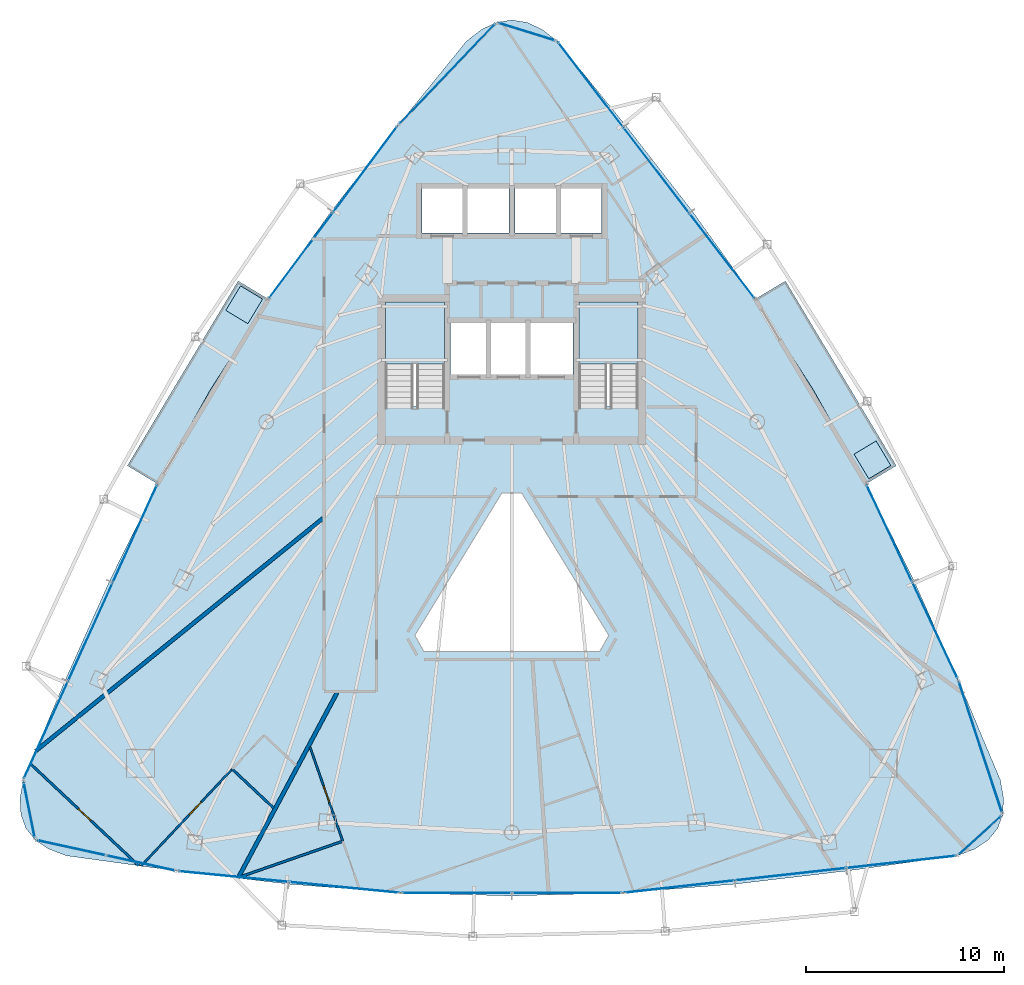
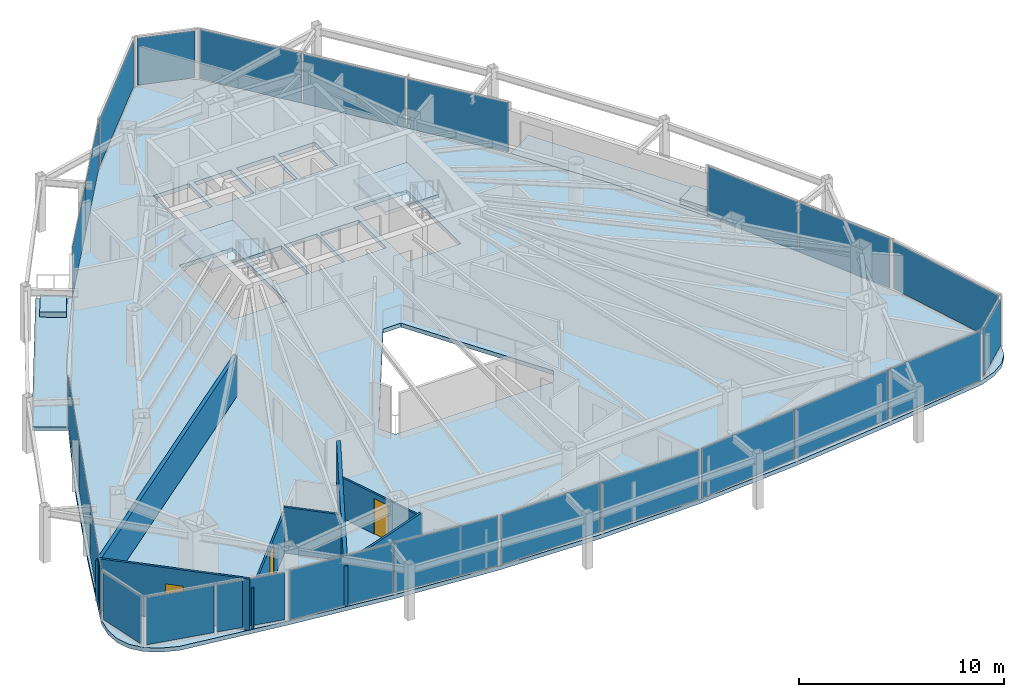
# One storey, part 23 of 29: 24 plates, 7 slabs, 7 walls, 3 doors, 3 openings, 15 elements without a shape of their own.
"""IFC4 building model written with IfcOpenShell, lengths in metres."""

from ifc_helpers import new_model, si_unit, direction, frame, frame_2d, origin, origin_2d, place, context, subcontext, project, spatial, polyline, rectangle, outline, extrude, material, layer, layer_set, type_object, element, fill, aggregate, save


model = new_model("IFC4")

# Units and contexts
model_context = context("Model", 3, precision=1e-05, world=origin(), true_north=direction((0.0, 1.0)))
body_context = subcontext(model_context, "Body", "Model", "MODEL_VIEW")
ifc_project = project(units=[si_unit("LENGTHUNIT", "METRE"), si_unit("AREAUNIT", "SQUARE_METRE"), si_unit("VOLUMEUNIT", "CUBIC_METRE"), si_unit("PLANEANGLEUNIT", "RADIAN"), si_unit("MASSUNIT", "GRAM", prefix="KILO")], contexts=[model_context])

# Site, building, storey
site_placement = place(None, origin())
site = spatial("IfcSite", under=ifc_project, at=site_placement, CompositionType="ELEMENT")
building_placement = place(site_placement, origin())
building = spatial("IfcBuilding", under=site, at=building_placement, Name="Orvanel Arch Residences", CompositionType="ELEMENT")
storey_placement = place(building_placement, frame((0.0, 0.0, 160.550048828125)))
storey = spatial("IfcBuildingStorey", under=building, at=storey_placement, Name="L45", CompositionType="ELEMENT", Elevation=160.550048828125)

# Curtain wall, plates
ifc_material_1 = material(Name="Bronze-anodised aluminium AA6063-T6", Category="aluminium")
ifc_layer_1 = layer(ifc_material_1, 0.179931640625)
ifc_layer_set_1 = layer_set([ifc_layer_1], Name="Bronze-anodised aluminium AA6063-T6")
curtain_wall_type_1 = type_object("IfcCurtainWallType", Name="CW3-MID-SYS", PredefinedType="NOTDEFINED", material=ifc_layer_set_1)
curtain_wall_1_placement = place(storey_placement, origin())
curtain_wall_1 = element("IfcCurtainWall", 1, at=curtain_wall_1_placement, inside=storey, type_object=curtain_wall_type_1, Name="L45 CW3-MID-SYS Unitised Curtain Wall", PredefinedType="NOTDEFINED")
ifc_material_2 = material(Name="Double-glazed solar-control low-E safety glass", Category="glass")
ifc_layer_2 = layer(ifc_material_2, 0.028076171875)
ifc_layer_set_2 = layer_set([ifc_layer_2], Name="Double-glazed solar-control low-E safety glass")
plate_type_1 = type_object("IfcPlateType", Name="PNL-GLZ-28", PredefinedType="CURTAIN_PANEL", material=ifc_layer_set_2)
plate_1_placement = place(storey_placement, frame((25.57177734375, 40.421875, 0.06005859375), z_axis=(0.0, 0.0, 1.0), x_axis=(-0.598064221794, -0.801448180864, 0.0)))
plate_1 = element("IfcPlate", 2, at=plate_1_placement, type_object=plate_type_1, Name="CW-S3 panel 1.1", PredefinedType="CURTAIN_PANEL", context=body_context, shape_type="SweptSolid", body=[
    extrude(rectangle(XDim=5.355224609375, YDim=0.028076171875, at=origin_2d()), origin(), (0.0, 0.0, 1.0), 2.93994140625),
])
plate_2_placement = place(storey_placement, frame((22.3271484375, 36.073974609375, 0.06005859375), z_axis=(0.0, 0.0, 1.0), x_axis=(-0.598064221794, -0.801448180864, 0.0)))
plate_2 = element("IfcPlate", 3, at=plate_2_placement, type_object=plate_type_1, Name="CW-S3 panel 2.1", PredefinedType="CURTAIN_PANEL", context=body_context, shape_type="SweptSolid", body=[
    extrude(rectangle(XDim=5.355224609375, YDim=0.028076171875, at=origin_2d()), origin(), (0.0, 0.0, 1.0), 2.93994140625),
])
aggregate(curtain_wall_1, [plate_1, plate_2])

curtain_wall_2_placement = place(storey_placement, origin())
curtain_wall_2 = element("IfcCurtainWall", 4, at=curtain_wall_2_placement, inside=storey, type_object=curtain_wall_type_1, Name="L45 CW3-MID-SYS Unitised Curtain Wall", PredefinedType="NOTDEFINED")
plate_3_placement = place(storey_placement, frame((13.917236328125, 21.977783203125, 0.06005859375), z_axis=(0.0, 0.0, 1.0), x_axis=(-0.412967925551, -0.910745569556, 0.0)))
plate_3 = element("IfcPlate", 5, at=plate_3_placement, type_object=plate_type_1, Name="CW-S3 panel 1.1", PredefinedType="CURTAIN_PANEL", context=body_context, shape_type="SweptSolid", body=[
    extrude(rectangle(XDim=5.3701171875, YDim=0.028076171875, at=origin_2d()), origin(), (0.0, 0.0, 1.0), 2.93994140625),
])
plate_4_placement = place(storey_placement, frame((11.66357421875, 17.007568359375, 0.06005859375), z_axis=(0.0, 0.0, 1.0), x_axis=(-0.412967925551, -0.910745569556, 0.0)))
plate_4 = element("IfcPlate", 6, at=plate_4_placement, type_object=plate_type_1, Name="CW-S3 panel 2.1", PredefinedType="CURTAIN_PANEL", context=body_context, shape_type="SweptSolid", body=[
    extrude(rectangle(XDim=5.405029296875, YDim=0.028076171875, at=origin_2d()), origin(), (0.0, 0.0, 1.0), 2.93994140625),
])
plate_5_placement = place(storey_placement, frame((9.40966796875, 12.037109375, 0.06005859375), z_axis=(0.0, 0.0, 1.0), x_axis=(-0.412967925551, -0.910745569556, 0.0)))
plate_5 = element("IfcPlate", 7, at=plate_5_placement, type_object=plate_type_1, Name="CW-S3 panel 3.1", PredefinedType="CURTAIN_PANEL", context=body_context, shape_type="SweptSolid", body=[
    extrude(rectangle(XDim=5.3701171875, YDim=0.028076171875, at=origin_2d()), origin(), (0.0, 0.0, 1.0), 2.93994140625),
])
aggregate(curtain_wall_2, [plate_3, plate_4, plate_5])

curtain_wall_3_placement = place(storey_placement, origin())
curtain_wall_3 = element("IfcCurtainWall", 8, at=curtain_wall_3_placement, inside=storey, type_object=curtain_wall_type_1, Name="L45 CW3-MID-SYS Unitised Curtain Wall", PredefinedType="NOTDEFINED")
plate_6_placement = place(storey_placement, frame((18.924072265625, 4.617431640625, 0.06005859375), z_axis=(0.0, 0.0, 1.0), x_axis=(0.995256463457, -0.097286031613, 0.0)))
plate_6 = element("IfcPlate", 9, at=plate_6_placement, type_object=plate_type_1, Name="CW-S3 panel 1.1", PredefinedType="CURTAIN_PANEL", context=body_context, shape_type="SweptSolid", body=[
    extrude(rectangle(XDim=5.543212890625, YDim=0.028076171875, at=origin_2d()), origin(), (0.0, 0.0, 1.0), 2.93994140625),
])
plate_7_placement = place(storey_placement, frame((24.5107421875, 4.071533203125, 0.06005859375), z_axis=(0.0, 0.0, 1.0), x_axis=(0.995256463457, -0.097286031613, 0.0)))
plate_7 = element("IfcPlate", 10, at=plate_7_placement, type_object=plate_type_1, Name="CW-S3 panel 2.1", PredefinedType="CURTAIN_PANEL", context=body_context, shape_type="SweptSolid", body=[
    extrude(rectangle(XDim=5.543212890625, YDim=0.028076171875, at=origin_2d()), origin(), (0.0, 0.0, 1.0), 2.93994140625),
])
aggregate(curtain_wall_3, [plate_6, plate_7])

curtain_wall_4_placement = place(storey_placement, origin())
curtain_wall_4 = element("IfcCurtainWall", 11, at=curtain_wall_4_placement, inside=storey, type_object=curtain_wall_type_1, Name="L45 CW3-MID-SYS Unitised Curtain Wall", PredefinedType="NOTDEFINED")
plate_8_placement = place(storey_placement, frame((30.20703125, 3.79296875, 0.06005859375), z_axis=(0.0, 0.0, 1.0), x_axis=(1.0, 0.0, 0.0)))
plate_8 = element("IfcPlate", 12, at=plate_8_placement, type_object=plate_type_1, Name="CW-S3 panel 1.1", PredefinedType="CURTAIN_PANEL", context=body_context, shape_type="SweptSolid", body=[
    extrude(rectangle(XDim=5.51611328125, YDim=0.028076171875, at=origin_2d()), origin(), (0.0, 0.0, 1.0), 2.93994140625),
])
plate_9_placement = place(storey_placement, frame((35.79296875, 3.79296875, 0.06005859375), z_axis=(0.0, 0.0, 1.0), x_axis=(1.0, 0.0, 0.0)))
plate_9 = element("IfcPlate", 13, at=plate_9_placement, type_object=plate_type_1, Name="CW-S3 panel 2.1", PredefinedType="CURTAIN_PANEL", context=body_context, shape_type="SweptSolid", body=[
    extrude(rectangle(XDim=5.51611328125, YDim=0.028076171875, at=origin_2d()), origin(), (0.0, 0.0, 1.0), 2.93994140625),
])
aggregate(curtain_wall_4, [plate_8, plate_9])

curtain_wall_5_placement = place(storey_placement, origin())
curtain_wall_5 = element("IfcCurtainWall", 14, at=curtain_wall_5_placement, inside=storey, type_object=curtain_wall_type_1, Name="L45 CW3-MID-SYS Unitised Curtain Wall", PredefinedType="NOTDEFINED")
plate_10_placement = place(storey_placement, frame((41.492431640625, 4.110107421875, 0.06005859375), z_axis=(0.0, 0.0, 1.0), x_axis=(0.993864337228, 0.11060596361, 0.0)))
plate_10 = element("IfcPlate", 15, at=plate_10_placement, type_object=plate_type_1, Name="CW-S3 panel 1.1", PredefinedType="CURTAIN_PANEL", context=body_context, shape_type="SweptSolid", body=[
    extrude(rectangle(XDim=5.557861328125, YDim=0.028076171875, at=origin_2d()), origin(), (0.0, 0.0, 1.0), 2.93994140625),
])
plate_11_placement = place(storey_placement, frame((47.10302734375, 4.734619140625, 0.06005859375), z_axis=(0.0, 0.0, 1.0), x_axis=(0.993864337228, 0.11060596361, 0.0)))
plate_11 = element("IfcPlate", 16, at=plate_11_placement, type_object=plate_type_1, Name="CW-S3 panel 2.1", PredefinedType="CURTAIN_PANEL", context=body_context, shape_type="SweptSolid", body=[
    extrude(rectangle(XDim=5.5927734375, YDim=0.028076171875, at=origin_2d()), origin(), (0.0, 0.0, 1.0), 2.93994140625),
])
plate_12_placement = place(storey_placement, frame((52.713623046875, 5.35888671875, 0.06005859375), z_axis=(0.0, 0.0, 1.0), x_axis=(0.993864337228, 0.11060596361, 0.0)))
plate_12 = element("IfcPlate", 17, at=plate_12_placement, type_object=plate_type_1, Name="CW-S3 panel 3.1", PredefinedType="CURTAIN_PANEL", context=body_context, shape_type="SweptSolid", body=[
    extrude(rectangle(XDim=5.557861328125, YDim=0.028076171875, at=origin_2d()), origin(), (0.0, 0.0, 1.0), 2.93994140625),
])
aggregate(curtain_wall_5, [plate_10, plate_11, plate_12])

curtain_wall_6_placement = place(storey_placement, origin())
curtain_wall_6 = element("IfcCurtainWall", 18, at=curtain_wall_6_placement, inside=storey, type_object=curtain_wall_type_1, Name="L45 CW3-MID-SYS Unitised Curtain Wall", PredefinedType="NOTDEFINED")
plate_13_placement = place(storey_placement, frame((54.423095703125, 17.09130859375, 0.06005859375), z_axis=(0.0, 0.0, 1.0), x_axis=(-0.42547064908, 0.904972224309, 0.0)))
plate_13 = element("IfcPlate", 19, at=plate_13_placement, type_object=plate_type_1, Name="CW-S3 panel 1.1", PredefinedType="CURTAIN_PANEL", context=body_context, shape_type="SweptSolid", body=[
    extrude(rectangle(XDim=5.354736328125, YDim=0.028076171875, at=origin_2d()), origin(), (0.0, 0.0, 1.0), 2.93994140625),
])
plate_14_placement = place(storey_placement, frame((52.114990234375, 22.000732421875, 0.06005859375), z_axis=(0.0, 0.0, 1.0), x_axis=(-0.42547064908, 0.904972224309, 0.0)))
plate_14 = element("IfcPlate", 20, at=plate_14_placement, type_object=plate_type_1, Name="CW-S3 panel 2.1", PredefinedType="CURTAIN_PANEL", context=body_context, shape_type="SweptSolid", body=[
    extrude(rectangle(XDim=5.354736328125, YDim=0.028076171875, at=origin_2d()), origin(), (0.0, 0.0, 1.0), 2.93994140625),
])
aggregate(curtain_wall_6, [plate_13, plate_14])

curtain_wall_7_placement = place(storey_placement, origin())
curtain_wall_7 = element("IfcCurtainWall", 21, at=curtain_wall_7_placement, inside=storey, type_object=curtain_wall_type_1, Name="L45 CW3-MID-SYS Unitised Curtain Wall", PredefinedType="NOTDEFINED")
plate_15_placement = place(storey_placement, frame((43.637939453125, 36.056884765625, 0.06005859375), z_axis=(0.0, 0.0, 1.0), x_axis=(-0.609098555317, 0.793094540336, 0.0)))
plate_15 = element("IfcPlate", 22, at=plate_15_placement, type_object=plate_type_1, Name="CW-S3 panel 1.1", PredefinedType="CURTAIN_PANEL", context=body_context, shape_type="SweptSolid", body=[
    extrude(rectangle(XDim=5.369873046875, YDim=0.028076171875, at=origin_2d()), origin(), (0.0, 0.0, 1.0), 2.93994140625),
])
plate_16_placement = place(storey_placement, frame((40.31396484375, 40.385009765625, 0.06005859375), z_axis=(0.0, 0.0, 1.0), x_axis=(-0.609098555317, 0.793094540336, 0.0)))
plate_16 = element("IfcPlate", 23, at=plate_16_placement, type_object=plate_type_1, Name="CW-S3 panel 2.1", PredefinedType="CURTAIN_PANEL", context=body_context, shape_type="SweptSolid", body=[
    extrude(rectangle(XDim=5.40478515625, YDim=0.028076171875, at=origin_2d()), origin(), (0.0, 0.0, 1.0), 2.93994140625),
])
plate_17_placement = place(storey_placement, frame((36.989990234375, 44.713134765625, 0.06005859375), z_axis=(0.0, 0.0, 1.0), x_axis=(-0.609098555317, 0.793094540336, 0.0)))
plate_17 = element("IfcPlate", 24, at=plate_17_placement, type_object=plate_type_1, Name="CW-S3 panel 3.1", PredefinedType="CURTAIN_PANEL", context=body_context, shape_type="SweptSolid", body=[
    extrude(rectangle(XDim=5.369873046875, YDim=0.028076171875, at=origin_2d()), origin(), (0.0, 0.0, 1.0), 2.93994140625),
])
aggregate(curtain_wall_7, [plate_15, plate_16, plate_17])

# Curtain wall, plate
ifc_layer_3 = layer(ifc_material_1, 0.18994140625)
ifc_layer_set_3 = layer_set([ifc_layer_3], Name="Bronze-anodised aluminium AA6063-T6")
curtain_wall_type_2 = type_object("IfcCurtainWallType", Name="CW5-CRN-SYS", PredefinedType="NOTDEFINED", material=ifc_layer_set_3)
curtain_wall_8_placement = place(storey_placement, origin())
curtain_wall_8 = element("IfcCurtainWall", 25, at=curtain_wall_8_placement, inside=storey, type_object=curtain_wall_type_2, Name="L45 CW5-CRN-SYS Unitised Curtain Wall", PredefinedType="NOTDEFINED")
ifc_layer_4 = layer(ifc_material_2, 0.031982421875)
ifc_layer_set_4 = layer_set([ifc_layer_4], Name="Double-glazed solar-control low-E safety glass")
plate_type_2 = type_object("IfcPlateType", Name="PNL-GLZ-32", PredefinedType="CURTAIN_PANEL", material=ifc_layer_set_4)
plate_18_placement = place(storey_placement, frame((33.7666015625, 47.39111328125, 0.1298828125), z_axis=(0.0, 0.0, 1.0), x_axis=(-0.954888565426, 0.296964354122, 0.0)))
plate_18 = element("IfcPlate", 26, at=plate_18_placement, type_object=plate_type_2, Name="CW-S5 panel 1.1", PredefinedType="CURTAIN_PANEL", context=body_context, shape_type="SweptSolid", body=[
    extrude(rectangle(XDim=2.8720703125, YDim=0.031982421875, at=origin_2d()), origin(), (0.0, 0.0, 1.0), 2.800048828125),
])
aggregate(curtain_wall_8, [plate_18])

curtain_wall_9_placement = place(storey_placement, origin())
curtain_wall_9 = element("IfcCurtainWall", 27, at=curtain_wall_9_placement, inside=storey, type_object=curtain_wall_type_2, Name="L45 CW5-CRN-SYS Unitised Curtain Wall", PredefinedType="NOTDEFINED")
plate_19_placement = place(storey_placement, frame((29.72998046875, 45.25390625, 0.1298828125), z_axis=(0.0, 0.0, 1.0), x_axis=(-0.69151906787, -0.72235820669, 0.0)))
plate_19 = element("IfcPlate", 28, at=plate_19_placement, type_object=plate_type_2, Name="CW-S5 panel 1.1", PredefinedType="CURTAIN_PANEL", context=body_context, shape_type="SweptSolid", body=[
    extrude(rectangle(XDim=6.898681640625, YDim=0.031982421875, at=origin_2d()), origin(), (0.0, 0.0, 1.0), 2.800048828125),
])
aggregate(curtain_wall_9, [plate_19])

curtain_wall_10_placement = place(storey_placement, origin())
curtain_wall_10 = element("IfcCurtainWall", 29, at=curtain_wall_10_placement, inside=storey, type_object=curtain_wall_type_2, Name="L45 CW5-CRN-SYS Unitised Curtain Wall", PredefinedType="NOTDEFINED")
plate_20_placement = place(storey_placement, frame((8.56591796875, 7.993408203125, 0.1298828125), z_axis=(0.0, 0.0, 1.0), x_axis=(0.195296868429, -0.980744173157, 0.0)))
plate_20 = element("IfcPlate", 30, at=plate_20_placement, type_object=plate_type_2, Name="CW-S5 panel 1.1", PredefinedType="CURTAIN_PANEL", context=body_context, shape_type="SweptSolid", body=[
    extrude(rectangle(XDim=2.751708984375, YDim=0.031982421875, at=origin_2d()), origin(), (0.0, 0.0, 1.0), 2.800048828125),
])
aggregate(curtain_wall_10, [plate_20])

# Curtain wall, plates
curtain_wall_11_placement = place(storey_placement, origin())
curtain_wall_11 = element("IfcCurtainWall", 31, at=curtain_wall_11_placement, inside=storey, type_object=curtain_wall_type_2, Name="L45 CW5-CRN-SYS Unitised Curtain Wall", PredefinedType="NOTDEFINED")
plate_21_placement = place(storey_placement, frame((10.716552734375, 6.07177734375, 0.1298828125), z_axis=(0.0, 0.0, 1.0), x_axis=(0.976757565807, -0.214347049523, 0.0)))
plate_21 = element("IfcPlate", 32, at=plate_21_placement, type_object=plate_type_2, Name="CW-S5 panel 1.1", PredefinedType="CURTAIN_PANEL", context=body_context, shape_type="SweptSolid", body=[
    extrude(rectangle(XDim=3.4443359375, YDim=0.031982421875, at=origin_2d()), origin(), (0.0, 0.0, 1.0), 2.800048828125),
])
plate_22_placement = place(storey_placement, frame((14.227294921875, 5.30126953125, 0.1298828125), z_axis=(0.0, 0.0, 1.0), x_axis=(0.976757565807, -0.214347049523, 0.0)))
plate_22 = element("IfcPlate", 33, at=plate_22_placement, type_object=plate_type_2, Name="CW-S5 panel 2.1", PredefinedType="CURTAIN_PANEL", context=body_context, shape_type="SweptSolid", body=[
    extrude(rectangle(XDim=3.4443359375, YDim=0.031982421875, at=origin_2d()), origin(), (0.0, 0.0, 1.0), 2.800048828125),
])
aggregate(curtain_wall_11, [plate_21, plate_22])

# Curtain wall, plate
curtain_wall_12_placement = place(storey_placement, origin())
curtain_wall_12 = element("IfcCurtainWall", 34, at=curtain_wall_12_placement, inside=storey, type_object=curtain_wall_type_2, Name="L45 CW5-CRN-SYS Unitised Curtain Wall", PredefinedType="NOTDEFINED")
plate_23_placement = place(storey_placement, frame((56.7099609375, 6.715576171875, 0.1298828125), z_axis=(0.0, 0.0, 1.0), x_axis=(0.740191958853, 0.672395615727, 0.0)))
plate_23 = element("IfcPlate", 35, at=plate_23_placement, type_object=plate_type_2, Name="CW-S5 panel 1.1", PredefinedType="CURTAIN_PANEL", context=body_context, shape_type="SweptSolid", body=[
    extrude(rectangle(XDim=2.753173828125, YDim=0.031982421875, at=origin_2d()), origin(), (0.0, 0.0, 1.0), 2.800048828125),
])
aggregate(curtain_wall_12, [plate_23])

curtain_wall_13_placement = place(storey_placement, origin())
curtain_wall_13 = element("IfcCurtainWall", 36, at=curtain_wall_13_placement, inside=storey, type_object=curtain_wall_type_2, Name="L45 CW5-CRN-SYS Unitised Curtain Wall", PredefinedType="NOTDEFINED")
plate_24_placement = place(storey_placement, frame((56.72802734375, 11.1708984375, 0.1298828125), z_axis=(0.0, 0.0, 1.0), x_axis=(-0.313374933239, 0.949629481018, 0.0)))
plate_24 = element("IfcPlate", 37, at=plate_24_placement, type_object=plate_type_2, Name="CW-S5 panel 1.1", PredefinedType="CURTAIN_PANEL", context=body_context, shape_type="SweptSolid", body=[
    extrude(rectangle(XDim=6.854248046875, YDim=0.031982421875, at=origin_2d()), origin(), (0.0, 0.0, 1.0), 2.800048828125),
])
aggregate(curtain_wall_13, [plate_24])

# Slabs
ifc_material_3 = material(Name="Concrete N40 (40 MPa)", Category="concrete")
ifc_layer_5 = layer(ifc_material_3, 0.215087890625)
ifc_layer_set_5 = layer_set([ifc_layer_5], Name="Concrete N40 (40 MPa)")
slab_type_1 = type_object("IfcSlabType", Name="SLB-BAL-215", PredefinedType="FLOOR", material=ifc_layer_set_5)
slab_1_placement = place(storey_placement, frame((0.0, 0.0, -0.215087890625)))
element("IfcSlab", 38, at=slab_1_placement, inside=storey, type_object=slab_type_1, Name="L45 Cantilevered Balcony Slab Face 3", PredefinedType="FLOOR", context=body_context, shape_type="SweptSolid", body=[
    extrude(outline(polyline([(52.464111328125, 25.4208984375), (46.85498046875, 34.77197265625), (45.327880859375, 33.85595703125), (48.26611328125, 29.260009765625), (50.93701171875, 24.5048828125), (52.464111328125, 25.4208984375)])), origin(), (0.0, 0.0, 1.0), 0.215087890625),
])
slab_2_placement = place(storey_placement, frame((0.0, 0.0, -0.215087890625)))
element("IfcSlab", 39, at=slab_2_placement, inside=storey, type_object=slab_type_1, Name="L45 Cantilevered Balcony Slab Face 1", PredefinedType="FLOOR", context=body_context, shape_type="SweptSolid", body=[
    extrude(outline(polyline([(19.14501953125, 34.77197265625), (13.535888671875, 25.4208984375), (15.06298828125, 24.5048828125), (17.73388671875, 29.260009765625), (20.672119140625, 33.85595703125), (19.14501953125, 34.77197265625)])), origin(), (0.0, 0.0, 1.0), 0.215087890625),
])

# Stair, slab
ifc_material_4 = material(Name="Precast concrete N50 (50 MPa)", Category="concrete")
stair_type = type_object("IfcStairType", Name="STR-DOG-184", PredefinedType="USERDEFINED", material=ifc_material_4)
stair_1_placement = place(storey_placement, origin())
stair_1 = element("IfcStair", 40, at=stair_1_placement, inside=storey, type_object=stair_type, Name="L45 Fire-Isolated Core Exit Stair 1", ObjectType="TWO_RETURN_STAIR", PredefinedType="USERDEFINED")
ifc_layer_6 = layer(ifc_material_3, 0.199951171875)
ifc_layer_set_6 = layer_set([ifc_layer_6], Name="Concrete N40 (40 MPa)")
slab_type_2 = type_object("IfcSlabType", Name="SLB-LND-200", PredefinedType="LANDING", material=ifc_layer_set_6)
slab_3_placement = place(storey_placement, frame((0.0, 0.0, 1.449951171875)))
slab_3 = element("IfcSlab", 41, at=slab_3_placement, type_object=slab_type_2, Name="ST-1 landing 1", PredefinedType="LANDING", context=body_context, shape_type="SweptSolid", body=[
    extrude(outline(polyline([(29.60009765625, 30.56005859375), (29.60009765625, 33.699951171875), (26.60009765625, 33.699951171875), (26.60009765625, 30.56005859375), (29.60009765625, 30.56005859375)])), origin(), (0.0, 0.0, 1.0), 0.199951171875),
])
aggregate(stair_1, [slab_3])

stair_2_placement = place(storey_placement, origin())
stair_2 = element("IfcStair", 42, at=stair_2_placement, inside=storey, type_object=stair_type, Name="L45 Fire-Isolated Core Exit Stair 2", ObjectType="TWO_RETURN_STAIR", PredefinedType="USERDEFINED")
slab_4_placement = place(storey_placement, frame((0.0, 0.0, 1.449951171875)))
slab_4 = element("IfcSlab", 43, at=slab_4_placement, type_object=slab_type_2, Name="ST-2 landing 1", PredefinedType="LANDING", context=body_context, shape_type="SweptSolid", body=[
    extrude(outline(polyline([(39.39990234375, 30.56005859375), (39.39990234375, 33.699951171875), (36.39990234375, 33.699951171875), (36.39990234375, 30.56005859375), (39.39990234375, 30.56005859375)])), origin(), (0.0, 0.0, 1.0), 0.199951171875),
])
aggregate(stair_2, [slab_4])

# Slabs
ifc_material_5 = material(Name="Structural architectural precast concrete N40 (40 MPa) planter", Category="concrete")
ifc_layer_7 = layer(ifc_material_5, 0.320068359375)
ifc_layer_set_7 = layer_set([ifc_layer_7], Name="Structural architectural precast concrete N40 (40 MPa) planter")
slab_type_3 = type_object("IfcSlabType", Name="SLB-PLN-320", PredefinedType="USERDEFINED", material=ifc_layer_set_7)
slab_5_placement = place(storey_placement, origin())
element("IfcSlab", 44, at=slab_5_placement, inside=storey, type_object=slab_type_3, Name="L45 Balcony TREE PLANTER Face 3", ObjectType="PLANTER", PredefinedType="USERDEFINED", context=body_context, shape_type="SweptSolid", body=[
    extrude(outline(polyline([(52.18896484375, 25.430908203125), (51.444091796875, 26.675048828125), (50.3291015625, 26.006103515625), (51.074951171875, 24.761962890625), (52.18896484375, 25.430908203125)])), origin(), (0.0, 0.0, 1.0), 0.320068359375),
])
slab_6_placement = place(storey_placement, origin())
element("IfcSlab", 45, at=slab_6_placement, inside=storey, type_object=slab_type_3, Name="L45 Balcony TREE PLANTER Face 1", ObjectType="PLANTER", PredefinedType="USERDEFINED", context=body_context, shape_type="SweptSolid", body=[
    extrude(outline(polyline([(19.264892578125, 34.52490234375), (18.51904296875, 33.281005859375), (19.634033203125, 32.613037109375), (20.3798828125, 33.85595703125), (19.264892578125, 34.52490234375)])), origin(), (0.0, 0.0, 1.0), 0.320068359375),
])
ifc_layer_8 = layer(ifc_material_3, 0.239990234375)
ifc_layer_set_8 = layer_set([ifc_layer_8], Name="Concrete N40 (40 MPa)")
slab_type_4 = type_object("IfcSlabType", Name="SLB-TYP-240", PredefinedType="FLOOR", material=ifc_layer_set_8)
slab_7_placement = place(storey_placement, frame((0.0, 0.0, -0.239990234375)))
element("IfcSlab", 46, at=slab_7_placement, inside=storey, type_object=slab_type_4, Name="L45 Tower Floor Slab", PredefinedType="FLOOR", context=body_context, shape_type="SweptSolid", body=[
    extrude(outline(polyline([(35.300048828125, 46.9140625), (34.532958984375, 47.510009765625), (33.76708984375, 47.867919921875), (33.0, 47.988037109375), (32.23291015625, 47.867919921875), (31.467041015625, 47.510009765625), (30.699951171875, 46.9140625), (27.22705078125, 42.639892578125), (23.85498046875, 38.303955078125), (20.672119140625, 33.85595703125), (17.73388671875, 29.260009765625), (15.06298828125, 24.5048828125), (12.636962890625, 19.60205078125), (10.39892578125, 14.5869140625), (8.263916015625, 9.510009765625), (8.09912109375, 8.572998046875), (8.14501953125, 7.7548828125), (8.40087890625, 7.055908203125), (8.867919921875, 6.47705078125), (9.5458984375, 6.01708984375), (10.43505859375, 5.676025390625), (16.075927734375, 4.89599609375), (21.717041015625, 4.235107421875), (27.35888671875, 3.79296875), (33.0, 3.637939453125), (38.64111328125, 3.79296875), (44.282958984375, 4.235107421875), (49.924072265625, 4.89599609375), (55.56494140625, 5.676025390625), (56.4541015625, 6.01708984375), (57.132080078125, 6.47705078125), (57.59912109375, 7.055908203125), (57.85498046875, 7.7548828125), (57.90087890625, 8.572998046875), (57.736083984375, 9.510009765625), (55.60107421875, 14.5869140625), (53.363037109375, 19.60205078125), (50.93701171875, 24.5048828125), (48.26611328125, 29.260009765625), (45.327880859375, 33.85595703125), (42.14501953125, 38.303955078125), (38.77294921875, 42.639892578125), (35.300048828125, 46.9140625)]), holes=[polyline([(26.60009765625, 28.429931640625), (26.60009765625, 33.699951171875), (29.60009765625, 33.699951171875), (29.60009765625, 28.429931640625), (26.60009765625, 28.429931640625)]), polyline([(36.39990234375, 28.429931640625), (36.39990234375, 33.699951171875), (39.39990234375, 33.699951171875), (39.39990234375, 28.429931640625), (36.39990234375, 28.429931640625)]), polyline([(29.89990234375, 32.64990234375), (31.75, 32.64990234375), (31.75, 29.949951171875), (29.89990234375, 29.949951171875), (29.89990234375, 32.64990234375)]), polyline([(31.89990234375, 32.64990234375), (33.75, 32.64990234375), (33.75, 29.949951171875), (31.89990234375, 29.949951171875), (31.89990234375, 32.64990234375)]), polyline([(33.89990234375, 32.64990234375), (36.10009765625, 32.64990234375), (36.10009765625, 29.949951171875), (33.89990234375, 29.949951171875), (33.89990234375, 32.64990234375)]), polyline([(28.449951171875, 39.449951171875), (30.5, 39.449951171875), (30.5, 37.199951171875), (28.449951171875, 37.199951171875), (28.449951171875, 39.449951171875)]), polyline([(35.5, 39.449951171875), (37.550048828125, 39.449951171875), (37.550048828125, 37.199951171875), (35.5, 37.199951171875), (35.5, 39.449951171875)]), polyline([(30.75, 39.449951171875), (32.85009765625, 39.449951171875), (32.85009765625, 37.199951171875), (30.75, 37.199951171875), (30.75, 39.449951171875)]), polyline([(33.14990234375, 39.449951171875), (35.25, 39.449951171875), (35.25, 37.199951171875), (33.14990234375, 37.199951171875), (33.14990234375, 39.449951171875)]), polyline([(37.909912109375, 16.8310546875), (37.452880859375, 16.01708984375), (28.547119140625, 16.01708984375), (28.090087890625, 16.8310546875), (32.501953125, 24.049072265625), (33.498046875, 24.049072265625), (37.909912109375, 16.8310546875)])]), origin(), (0.0, 0.0, 1.0), 0.239990234375),
])

# Walls
ifc_material_6 = material(Name="Fire-rated plasterboard lined steel stud partition", Category="steel")
ifc_layer_9 = layer(ifc_material_6, 0.199951171875)
ifc_layer_set_9 = layer_set([ifc_layer_9], Name="Fire-rated plasterboard lined steel stud partition")
wall_type_1 = type_object("IfcWallType", Name="W-DEM-200", PredefinedType="PARTITIONING", material=ifc_layer_set_9)
wall_1_placement = place(storey_placement, frame((19.14501953125, 4.550048828125, 0.0), z_axis=(0.0, 0.0, 1.0), x_axis=(0.470953669838, 0.882157945533, 0.0)))
element("IfcWall", 47, at=wall_1_placement, inside=storey, type_object=wall_type_1, Name="L45 Inter-Tenancy Acoustic Demising Wall", PredefinedType="PARTITIONING", context=body_context, shape_type="SweptSolid", body=[
    extrude(rectangle(XDim=10.644287109375, YDim=0.199951171875, at=frame_2d((5.322265625, 0.0))), origin(), (0.0, 0.0, 1.0), 2.412841796875),
])
wall_2_placement = place(storey_placement, frame((8.886962890625, 10.972900390625, 0.0), z_axis=(0.0, 0.0, 1.0), x_axis=(0.777135864284, 0.629332859815, 0.0)))
element("IfcWall", 48, at=wall_2_placement, inside=storey, type_object=wall_type_1, Name="L45 Inter-Tenancy Acoustic Demising Wall", PredefinedType="PARTITIONING", context=body_context, shape_type="SweptSolid", body=[
    extrude(rectangle(XDim=18.726318359375, YDim=0.199951171875, at=frame_2d((9.36328125, 0.0))), origin(), (0.0, 0.0, 1.0), 2.412841796875),
])

# Wall, opening, door
ifc_material_7 = material(Name="Acoustic plasterboard lined twin-stud partition", Category="gypsum")
ifc_layer_10 = layer(ifc_material_7, 0.10009765625)
ifc_layer_set_10 = layer_set([ifc_layer_10], Name="Acoustic plasterboard lined twin-stud partition")
wall_type_2 = type_object("IfcWallType", Name="W-INT-100", PredefinedType="PARTITIONING", material=ifc_layer_set_10)
wall_3_placement = place(storey_placement, frame((24.44189453125, 6.410888671875, 0.0), z_axis=(0.0, 0.0, 1.0), x_axis=(-0.328597479572, 0.944470061155, 0.0)))
wall_3 = element("IfcWall", 49, at=wall_3_placement, inside=storey, type_object=wall_type_2, Name="L45 Studio B Internal Partition", PredefinedType="PARTITIONING", context=body_context, shape_type="SweptSolid", body=[
    extrude(rectangle(XDim=5.051513671875, YDim=0.10009765625, at=frame_2d((2.52587890625, 0.0))), origin(), (0.0, 0.0, 1.0), 2.412841796875),
])
opening_1_placement = place(wall_3_placement, frame((2.0859375, 0.0, 0.0)))
opening_1 = element("IfcOpeningElement", 50, at=opening_1_placement, cuts=wall_3, Name="Opening DI-088", PredefinedType="OPENING", context=body_context, shape_type="SweptSolid", body=[
    extrude(rectangle(XDim=0.8798828125, YDim=2.10009765625, at=frame_2d((0.43994140625, 1.050048828125))), frame((0.0, 0.06005859375, 0.0), z_axis=(0.0, -1.0, 0.0), x_axis=(1.0, 0.0, 0.0)), (0.0, 0.0, 1.0), 0.1201171875),
])
ifc_material_8 = material(Name="Solid-core European oak veneer fire door leaf", Category="wood")
door_type = type_object("IfcDoorType", Name="DR-INT-880", OperationType="NOTDEFINED", PredefinedType="DOOR", material=ifc_material_8)
door_1_placement = place(opening_1_placement, origin())
door_1 = element("IfcDoor", 51, at=door_1_placement, inside=storey, type_object=door_type, Name="DR-L45-B-CAR1 L45 Studio B Allied Health Consulting Room 2 Door", OperationType="SINGLE_SWING_LEFT", OverallHeight=2.10009765625, OverallWidth=0.8798828125, PredefinedType="DOOR", context=body_context, shape_type="SweptSolid", body=[
    extrude(rectangle(XDim=0.8798828125, YDim=2.10009765625, at=frame_2d((0.43994140625, 1.050048828125))), frame((0.0, 0.02490234375, 0.0), z_axis=(0.0, -1.0, 0.0), x_axis=(1.0, 0.0, 0.0)), (0.0, 0.0, 1.0), 0.050048828125),
])
fill(opening_1, door_1)

wall_4_placement = place(storey_placement, frame((18.843017578125, 10.06005859375, 0.0), z_axis=(0.0, 0.0, 1.0), x_axis=(-0.6848274704, -0.728705246163, 0.0)))
wall_4 = element("IfcWall", 52, at=wall_4_placement, inside=storey, type_object=wall_type_2, Name="L45 Flat C Internal Partition", PredefinedType="PARTITIONING", context=body_context, shape_type="SweptSolid", body=[
    extrude(rectangle(XDim=6.721435546875, YDim=0.10009765625, at=frame_2d((3.36083984375, 0.0))), origin(), (0.0, 0.0, 1.0), 2.412841796875),
])
opening_2_placement = place(wall_4_placement, frame((2.282958984375, 0.0, 0.0)))
opening_2 = element("IfcOpeningElement", 53, at=opening_2_placement, cuts=wall_4, Name="Opening DI-088", PredefinedType="OPENING", context=body_context, shape_type="SweptSolid", body=[
    extrude(rectangle(XDim=0.8798828125, YDim=2.10009765625, at=frame_2d((0.43994140625, 1.050048828125))), frame((0.0, 0.06005859375, 0.0), z_axis=(0.0, -1.0, 0.0), x_axis=(1.0, 0.0, 0.0)), (0.0, 0.0, 1.0), 0.1201171875),
])
door_2_placement = place(opening_2_placement, origin())
door_2 = element("IfcDoor", 54, at=door_2_placement, inside=storey, type_object=door_type, Name="DR-L45-C-BED1 L45 Flat C Bedroom 1 Door", OperationType="SINGLE_SWING_LEFT", OverallHeight=2.10009765625, OverallWidth=0.8798828125, PredefinedType="DOOR", context=body_context, shape_type="SweptSolid", body=[
    extrude(rectangle(XDim=0.8798828125, YDim=2.10009765625, at=frame_2d((0.43994140625, 1.050048828125))), frame((0.0, 0.02490234375, 0.0), z_axis=(0.0, -1.0, 0.0), x_axis=(1.0, 0.0, 0.0)), (0.0, 0.0, 1.0), 0.050048828125),
])
fill(opening_2, door_2)

# Wall
ifc_layer_11 = layer(ifc_material_7, 0.1201171875)
ifc_layer_set_11 = layer_set([ifc_layer_11], Name="Acoustic plasterboard lined twin-stud partition")
wall_type_3 = type_object("IfcWallType", Name="W-WET-120", PredefinedType="PARTITIONING", material=ifc_layer_set_11)
wall_5_placement = place(storey_placement, frame((19.27587890625, 4.614013671875, 0.0), z_axis=(0.0, 0.0, 1.0), x_axis=(0.944496796706, 0.328520624941, 0.0)))
element("IfcWall", 55, at=wall_5_placement, inside=storey, type_object=wall_type_3, Name="L45 Studio B Internal Partition", PredefinedType="PARTITIONING", context=body_context, shape_type="SweptSolid", body=[
    extrude(rectangle(XDim=5.469482421875, YDim=0.1201171875, at=frame_2d((2.73486328125, 0.0))), origin(), (0.0, 0.0, 1.0), 2.618896484375),
])

# Wall, opening, door
wall_6_placement = place(storey_placement, frame((14.10791015625, 5.177001953125, 0.0), z_axis=(0.0, 0.0, 1.0), x_axis=(-0.728745526687, 0.684784606525, 0.0)))
wall_6 = element("IfcWall", 56, at=wall_6_placement, inside=storey, type_object=wall_type_3, Name="L45 Flat C Internal Partition", PredefinedType="PARTITIONING", context=body_context, shape_type="SweptSolid", body=[
    extrude(rectangle(XDim=7.525146484375, YDim=0.1201171875, at=frame_2d((3.7626953125, 0.0))), origin(), (0.0, 0.0, 1.0), 3.06005859375),
])
opening_3_placement = place(wall_6_placement, frame((3.322998046875, 0.0, 0.0)))
opening_3 = element("IfcOpeningElement", 57, at=opening_3_placement, cuts=wall_6, Name="Opening DI-088", PredefinedType="OPENING", context=body_context, shape_type="SweptSolid", body=[
    extrude(rectangle(XDim=0.8798828125, YDim=2.10009765625, at=frame_2d((0.43994140625, 1.050048828125))), frame((0.0, 0.070068359375, 0.0), z_axis=(0.0, -1.0, 0.0), x_axis=(1.0, 0.0, 0.0)), (0.0, 0.0, 1.0), 0.14013671875),
])
door_3_placement = place(opening_3_placement, origin())
door_3 = element("IfcDoor", 58, at=door_3_placement, inside=storey, type_object=door_type, Name="DR-L45-C-KIT L45 Flat C Kitchen Door", OperationType="SINGLE_SWING_LEFT", OverallHeight=2.10009765625, OverallWidth=0.8798828125, PredefinedType="DOOR", context=body_context, shape_type="SweptSolid", body=[
    extrude(rectangle(XDim=0.8798828125, YDim=2.10009765625, at=frame_2d((0.43994140625, 1.050048828125))), frame((0.0, 0.02490234375, 0.0), z_axis=(0.0, -1.0, 0.0), x_axis=(1.0, 0.0, 0.0)), (0.0, 0.0, 1.0), 0.050048828125),
])
fill(opening_3, door_3)

# Wall
wall_7_placement = place(storey_placement, frame((20.93896484375, 8.090087890625, 0.0), z_axis=(0.0, 0.0, 1.0), x_axis=(-0.728665789254, 0.68486945294, 0.0)))
element("IfcWall", 59, at=wall_7_placement, inside=storey, type_object=wall_type_3, Name="L45 Flat C Bathroom Partition", PredefinedType="PARTITIONING", context=body_context, shape_type="SweptSolid", body=[
    extrude(rectangle(XDim=2.87646484375, YDim=0.1201171875, at=frame_2d((1.438232421875, 0.0))), origin(), (0.0, 0.0, 1.0), 2.720947265625),
])

save(model, "model.ifc")
